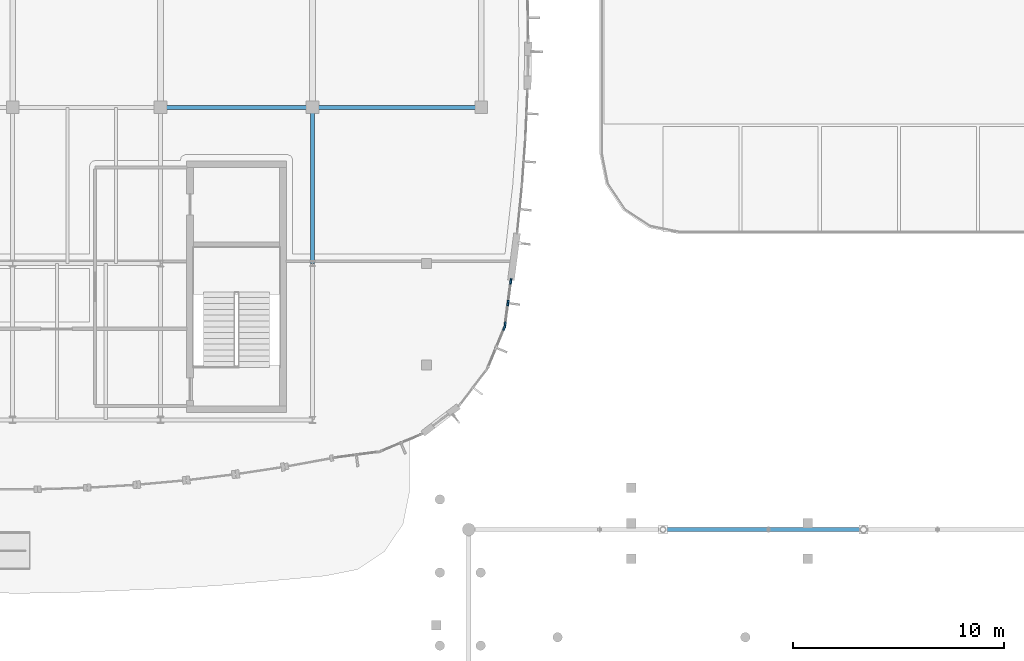
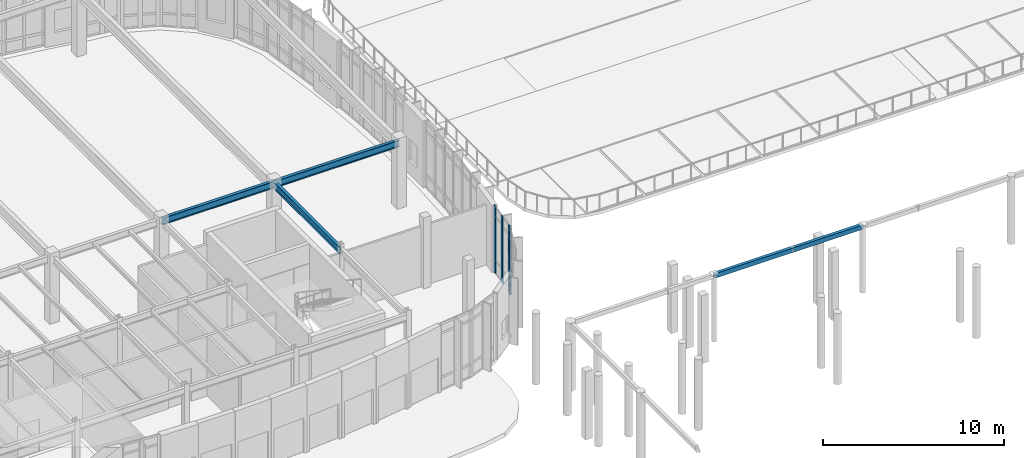
# One storey, part 42 of 120: 4 beams, 4 members, 2 elements without a shape of their own.
"""IFC4 building model written with IfcOpenShell, lengths in metres."""

from ifc_helpers import new_model, si_unit, direction, frame, origin, origin_2d, place, context, subcontext, project, spatial, rectangle, hollow_rectangle, i_section, extrude, material, material_profile, profile_set, type_object, element, aggregate, save


model = new_model("IFC4")

# Units and contexts
model_context = context("Model", 3, precision=1e-05, world=origin(), true_north=direction((0.0, 1.0)))
body_context = subcontext(model_context, "Body", "Model", "MODEL_VIEW")
ifc_project = project(units=[si_unit("LENGTHUNIT", "METRE"), si_unit("AREAUNIT", "SQUARE_METRE"), si_unit("VOLUMEUNIT", "CUBIC_METRE"), si_unit("PLANEANGLEUNIT", "RADIAN"), si_unit("MASSUNIT", "GRAM", prefix="KILO")], contexts=[model_context])

# Site, building, storey
site_placement = place(None, origin())
site = spatial("IfcSite", under=ifc_project, at=site_placement, CompositionType="ELEMENT")
building_placement = place(site_placement, origin())
building = spatial("IfcBuilding", under=site, at=building_placement, Name="Corveleigh Park Community Centre", CompositionType="ELEMENT")
storey_placement = place(building_placement, origin())
storey = spatial("IfcBuildingStorey", under=building, at=storey_placement, Name="L00", CompositionType="ELEMENT", Elevation=0.0)

# Beams
ifc_material_1 = material(Name="Steel S355", Category="steel")
ifc_material_profile_1 = material_profile(ifc_material_1, i_section(OverallWidth=0.1904296875, OverallDepth=0.45703125, WebThickness=0.009033203125, FlangeThickness=0.014404296875, at=origin_2d()), Name="UKB 457x191x74", Category="steel")
ifc_profile_set_1 = profile_set([ifc_material_profile_1], Name="Steel S355")
beam_type_1 = type_object("IfcBeamType", Name="BM-STL-UKB457x74", PredefinedType="BEAM", material=ifc_profile_set_1)
beam_1_placement = place(storey_placement, frame((46.39990234375, 85.405029296875, 4.298583984375), z_axis=(0.0, 1.0, 0.0), x_axis=(-1.0, 0.0, 0.0)))
element("IfcBeam", 1, at=beam_1_placement, inside=storey, type_object=beam_type_1, Name="V2 Studio Girder Y", PredefinedType="BEAM", context=body_context, shape_type="SweptSolid", body=[
    extrude(i_section(OverallWidth=0.1904296875, OverallDepth=0.45703125, WebThickness=0.009033203125, FlangeThickness=0.014404296875, at=origin_2d()), origin(), (0.0, 0.0, 1.0), 7.389892578125),
])
ifc_material_profile_2 = material_profile(ifc_material_1, i_section(OverallWidth=0.19140625, OverallDepth=0.4599609375, WebThickness=0.010009765625, FlangeThickness=0.01611328125, at=origin_2d()), Name="UKB 457x191x82", Category="steel")
ifc_profile_set_2 = profile_set([ifc_material_profile_2], Name="Steel S355")
beam_type_2 = type_object("IfcBeamType", Name="BM-STL-UKB457x82", PredefinedType="BEAM", material=ifc_profile_set_2)
beam_2_placement = place(storey_placement, frame((39.205078125, 92.800048828125, 4.297119140625), z_axis=(1.0, 0.0, 0.0), x_axis=(0.0, 1.0, 0.0)))
element("IfcBeam", 2, at=beam_2_placement, inside=storey, type_object=beam_type_2, Name="V2 Studio Girder X", PredefinedType="BEAM", context=body_context, shape_type="SweptSolid", body=[
    extrude(i_section(OverallWidth=0.19140625, OverallDepth=0.4599609375, WebThickness=0.010009765625, FlangeThickness=0.01611328125, at=origin_2d()), origin(), (0.0, 0.0, 1.0), 7.18994140625),
])
beam_3_placement = place(storey_placement, frame((46.405029296875, 92.800048828125, 4.281982421875), z_axis=(1.0, 0.0, 0.0), x_axis=(0.0, 1.0, 0.0)))
element("IfcBeam", 3, at=beam_3_placement, inside=storey, type_object=beam_type_2, Name="V2 Studio Girder X", PredefinedType="BEAM", context=body_context, shape_type="SweptSolid", body=[
    extrude(i_section(OverallWidth=0.19140625, OverallDepth=0.4599609375, WebThickness=0.010009765625, FlangeThickness=0.01611328125, at=origin_2d()), origin(), (0.0, 0.0, 1.0), 7.989990234375),
])

# Curtain wall, member
ifc_material_2 = material(Name="Anodised aluminium 6063-T6", Category="aluminium")
curtain_wall_type = type_object("IfcCurtainWallType", Name="CW-SYS-V2-L00", PredefinedType="NOTDEFINED", material=ifc_material_2)
curtain_wall_1_placement = place(storey_placement, origin())
curtain_wall_1 = element("IfcCurtainWall", 4, at=curtain_wall_1_placement, inside=storey, type_object=curtain_wall_type, Name="V2 L00 Curtain Wall 35", PredefinedType="NOTDEFINED")
ifc_material_profile_3 = material_profile(ifc_material_2, rectangle(XDim=0.080078125, YDim=0.25, at=origin_2d()), Name="ALU-M80x250", Category="aluminium")
ifc_profile_set_3 = profile_set([ifc_material_profile_3], Name="Anodised aluminium 6063-T6")
member_type_1 = type_object("IfcMemberType", Name="CWM-80x250", PredefinedType="MULLION", material=ifc_profile_set_3)
member_1_placement = place(storey_placement, frame((55.486572265625, 82.359130859375, 0.0), z_axis=(0.0, 0.0, 1.0), x_axis=(0.923770494231, -0.382946568059, 0.0)))
member_1 = element("IfcMember", 5, at=member_1_placement, type_object=member_type_1, Name="CW03 mullion 1", PredefinedType="MULLION", context=body_context, shape_type="SweptSolid", body=[
    extrude(rectangle(XDim=0.080078125, YDim=0.25, at=origin_2d()), origin(), (0.0, 0.0, 1.0), 4.527099609375),
])
aggregate(curtain_wall_1, [member_1])

# Curtain wall, members
curtain_wall_2_placement = place(storey_placement, origin())
curtain_wall_2 = element("IfcCurtainWall", 6, at=curtain_wall_2_placement, inside=storey, type_object=curtain_wall_type, Name="V2 L00 Curtain Wall 36", PredefinedType="NOTDEFINED")
ifc_material_profile_4 = material_profile(ifc_material_2, rectangle(XDim=0.0849609375, YDim=0.27490234375, at=origin_2d()), Name="ALU-M85x275", Category="aluminium")
ifc_profile_set_4 = profile_set([ifc_material_profile_4], Name="Anodised aluminium 6063-T6")
member_type_2 = type_object("IfcMemberType", Name="CWM-85x275", PredefinedType="MULLION", material=ifc_profile_set_4)
member_2_placement = place(storey_placement, frame((55.79345703125, 84.5517578125, 0.0), z_axis=(0.0, 0.0, 1.0), x_axis=(0.99145745499, -0.130430498525, 0.0)))
member_2 = element("IfcMember", 7, at=member_2_placement, type_object=member_type_2, Name="CW03 mullion 1", PredefinedType="MULLION", context=body_context, shape_type="SweptSolid", body=[
    extrude(rectangle(XDim=0.0849609375, YDim=0.27490234375, at=origin_2d()), origin(), (0.0, 0.0, 1.0), 4.527099609375),
])
member_3_placement = place(storey_placement, frame((55.658447265625, 83.52587890625, 0.0), z_axis=(0.0, 0.0, 1.0), x_axis=(0.99145745499, -0.130430498525, 0.0)))
member_3 = element("IfcMember", 8, at=member_3_placement, type_object=member_type_2, Name="CW03 mullion 2", PredefinedType="MULLION", context=body_context, shape_type="SweptSolid", body=[
    extrude(rectangle(XDim=0.0849609375, YDim=0.27490234375, at=origin_2d()), origin(), (0.0, 0.0, 1.0), 4.527099609375),
])
member_4_placement = place(storey_placement, frame((55.5234375, 82.500244140625, 0.0), z_axis=(0.0, 0.0, 1.0), x_axis=(0.99145745499, -0.130430498525, 0.0)))
member_4 = element("IfcMember", 9, at=member_4_placement, type_object=member_type_2, Name="CW03 mullion 3", PredefinedType="MULLION", context=body_context, shape_type="SweptSolid", body=[
    extrude(rectangle(XDim=0.0849609375, YDim=0.27490234375, at=origin_2d()), origin(), (0.0, 0.0, 1.0), 4.527099609375),
])
aggregate(curtain_wall_2, [member_2, member_3, member_4])

# Beam
ifc_material_profile_5 = material_profile(ifc_material_1, hollow_rectangle(XDim=0.199951171875, YDim=0.300048828125, WallThickness=0.012451171875, at=origin_2d()), Name="RHS 300x200x12.5", Category="steel")
ifc_profile_set_5 = profile_set([ifc_material_profile_5], Name="Steel S355")
beam_type_3 = type_object("IfcBeamType", Name="SP-STL-RHS300x200", PredefinedType="SPANDREL", material=ifc_profile_set_5)
beam_4_placement = place(storey_placement, frame((63.0048828125, 72.800048828125, 4.429931640625), z_axis=(1.0, 0.0, 0.0), x_axis=(0.0, 1.0, 0.0)))
element("IfcBeam", 10, at=beam_4_placement, inside=storey, type_object=beam_type_3, Name="Covered Passage Canopy Girder", PredefinedType="SPANDREL", context=body_context, shape_type="SweptSolid", body=[
    extrude(hollow_rectangle(XDim=0.199951171875, YDim=0.300048828125, WallThickness=0.012451171875, at=origin_2d()), origin(), (0.0, 0.0, 1.0), 9.490234375),
])

save(model, "model.ifc")
